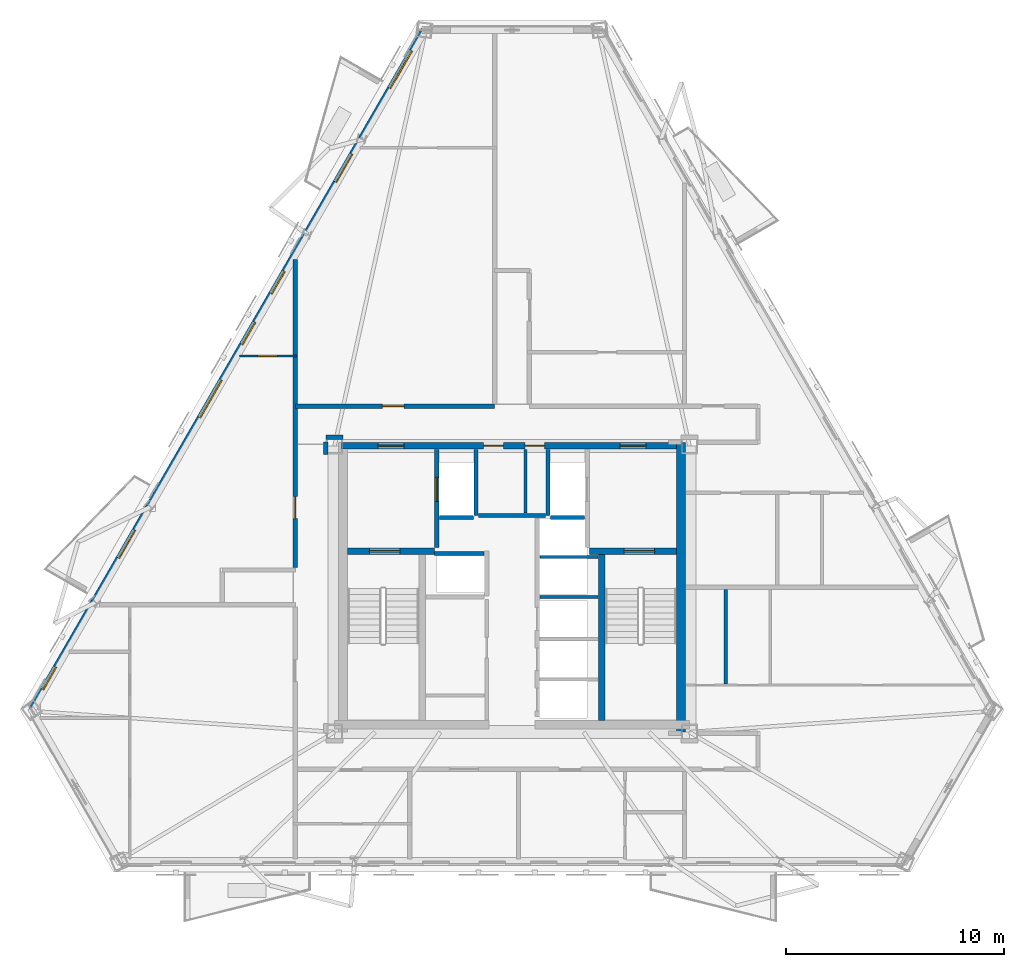
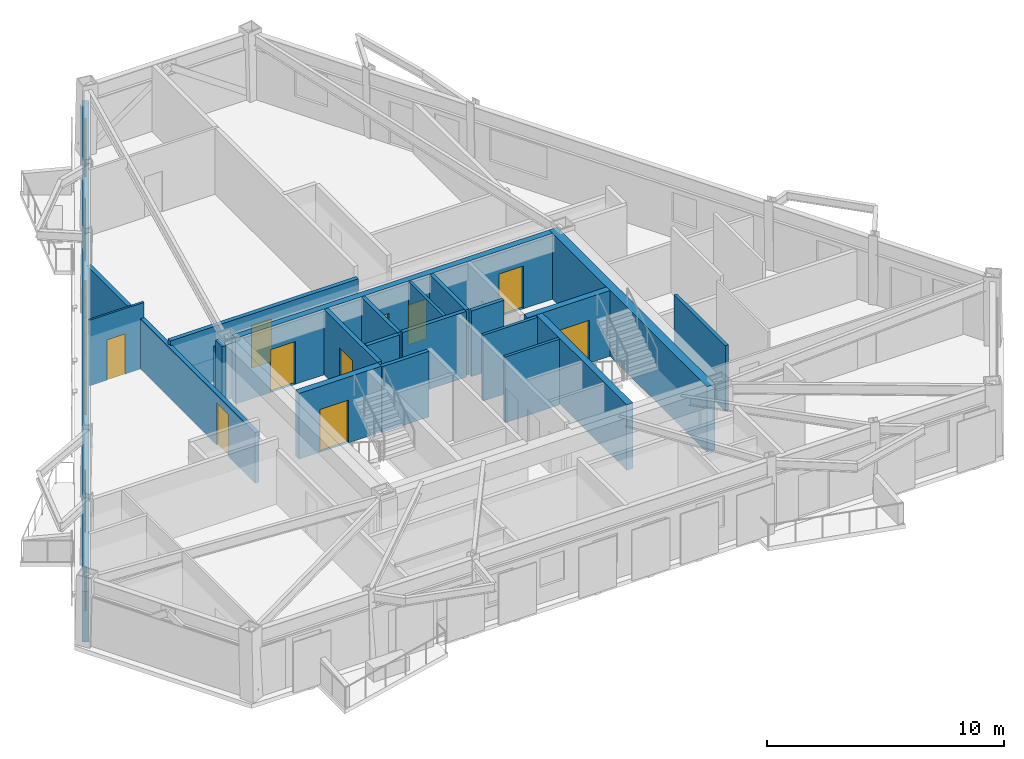
# One storey, part 5 of 10: 22 walls, 12 doors, 5 windows, 17 openings.
"""IFC4 building model written with IfcOpenShell, lengths in metres."""

from ifc_helpers import new_model, si_unit, direction, frame, frame_2d, origin, place, context, subcontext, project, spatial, rectangle, extrude, material, layer, layer_set, type_object, element, fill, save


model = new_model("IFC4")

# Units and contexts
model_context = context("Model", 3, precision=1e-05, world=origin(), true_north=direction((0.0, 1.0)))
body_context = subcontext(model_context, "Body", "Model", "MODEL_VIEW")
ifc_project = project(units=[si_unit("LENGTHUNIT", "METRE"), si_unit("AREAUNIT", "SQUARE_METRE"), si_unit("VOLUMEUNIT", "CUBIC_METRE"), si_unit("PLANEANGLEUNIT", "RADIAN"), si_unit("MASSUNIT", "GRAM", prefix="KILO")], contexts=[model_context])

# Site, building, storey
site_placement = place(None, origin())
site = spatial("IfcSite", under=ifc_project, at=site_placement, CompositionType="ELEMENT")
building_placement = place(site_placement, origin())
building = spatial("IfcBuilding", under=site, at=building_placement, Name="Oramaril Tower", CompositionType="ELEMENT")
storey_placement = place(building_placement, frame((0.0, 0.0, 181.800048828125)))
storey = spatial("IfcBuildingStorey", under=building, at=storey_placement, Name="L48", CompositionType="ELEMENT", Elevation=181.800048828125)

# Wall, openings, doors, windows
ifc_material_1 = material(Name="Warm Cream Limestone", Category="masonry")
ifc_layer_1 = layer(ifc_material_1, 0.2900390625)
ifc_layer_set_1 = layer_set([ifc_layer_1], Name="WT-EXT29")
wall_type_1 = type_object("IfcWallType", Name="WT-EXT29", PredefinedType="SOLIDWALL", material=ifc_layer_set_1)
wall_1_placement = place(storey_placement, frame((33.46142578125, 43.247314453125, 0.0), z_axis=(0.0, 0.0, 1.0), x_axis=(-0.499997559055, -0.86602681306, 0.0)))
wall_1 = element("IfcWall", 1, at=wall_1_placement, inside=storey, type_object=wall_type_1, Name="L48 Tower Limestone Facade Wall 6M", PredefinedType="SOLIDWALL", context=body_context, shape_type="SweptSolid", body=[
    extrude(rectangle(XDim=36.053955078125, YDim=0.2900390625, at=frame_2d((18.02685546875, 0.0))), origin(), (0.0, 0.0, 1.0), 2.599853515625),
])
opening_1_placement = place(wall_1_placement, frame((6.579345703125, 0.0, 0.0)))
opening_1 = element("IfcOpeningElement", 2, at=opening_1_placement, cuts=wall_1, Name="Opening D-L48-BAL-NW1", PredefinedType="OPENING", context=body_context, shape_type="SweptSolid", body=[
    extrude(rectangle(XDim=1.5, YDim=2.199951171875, at=frame_2d((0.75, 1.10009765625))), frame((0.0, 0.14501953125, 0.0), z_axis=(0.0, -1.0, 0.0), x_axis=(1.0, 0.0, 0.0)), (0.0, 0.0, 1.0), 0.2900390625),
])
opening_2_placement = place(wall_1_placement, frame((26.519287109375, 0.0, 0.0)))
opening_2 = element("IfcOpeningElement", 3, at=opening_2_placement, cuts=wall_1, Name="Opening D-L48-BAL-NW2", PredefinedType="OPENING", context=body_context, shape_type="SweptSolid", body=[
    extrude(rectangle(XDim=1.5, YDim=2.199951171875, at=frame_2d((0.75, 1.10009765625))), frame((0.0, 0.14501953125, 0.0), z_axis=(0.0, -1.0, 0.0), x_axis=(1.0, 0.0, 0.0)), (0.0, 0.0, 1.0), 0.2900390625),
])
opening_3_placement = place(wall_1_placement, frame((33.7880859375, 0.0, 0.85009765625)))
opening_3 = element("IfcOpeningElement", 4, at=opening_3_placement, cuts=wall_1, Name="Opening WN-09", PredefinedType="OPENING", context=body_context, shape_type="SweptSolid", body=[
    extrude(rectangle(XDim=1.199951171875, YDim=1.47998046875, at=frame_2d((0.60009765625, 0.739990234375))), frame((0.0, 0.14501953125, 0.0), z_axis=(0.0, -1.0, 0.0), x_axis=(1.0, 0.0, 0.0)), (0.0, 0.0, 1.0), 0.2900390625),
])
opening_4_placement = place(wall_1_placement, frame((18.570068359375, 0.0, 0.85009765625)))
opening_4 = element("IfcOpeningElement", 5, at=opening_4_placement, cuts=wall_1, Name="Opening WN-05", PredefinedType="OPENING", context=body_context, shape_type="SweptSolid", body=[
    extrude(rectangle(XDim=2.0, YDim=1.639892578125, at=frame_2d((1.0, 0.81982421875))), frame((0.0, 0.14501953125, 0.0), z_axis=(0.0, -1.0, 0.0), x_axis=(1.0, 0.0, 0.0)), (0.0, 0.0, 1.0), 0.2900390625),
])
opening_5_placement = place(wall_1_placement, frame((12.794189453125, 0.0, 0.85009765625)))
opening_5 = element("IfcOpeningElement", 6, at=opening_5_placement, cuts=wall_1, Name="Opening WN-09", PredefinedType="OPENING", context=body_context, shape_type="SweptSolid", body=[
    extrude(rectangle(XDim=1.199951171875, YDim=1.47998046875, at=frame_2d((0.60009765625, 0.739990234375))), frame((0.0, 0.14501953125, 0.0), z_axis=(0.0, -1.0, 0.0), x_axis=(1.0, 0.0, 0.0)), (0.0, 0.0, 1.0), 0.2900390625),
])
opening_6_placement = place(wall_1_placement, frame((15.49609375, 0.0, 0.85009765625)))
opening_6 = element("IfcOpeningElement", 7, at=opening_6_placement, cuts=wall_1, Name="Opening WN-09", PredefinedType="OPENING", context=body_context, shape_type="SweptSolid", body=[
    extrude(rectangle(XDim=1.199951171875, YDim=1.47998046875, at=frame_2d((0.60009765625, 0.739990234375))), frame((0.0, 0.14501953125, 0.0), z_axis=(0.0, -1.0, 0.0), x_axis=(1.0, 0.0, 0.0)), (0.0, 0.0, 1.0), 0.2900390625),
])
opening_7_placement = place(wall_1_placement, frame((1.107666015625, 0.0, 0.85009765625)))
opening_7 = element("IfcOpeningElement", 8, at=opening_7_placement, cuts=wall_1, Name="Opening WN-05", PredefinedType="OPENING", context=body_context, shape_type="SweptSolid", body=[
    extrude(rectangle(XDim=2.0, YDim=1.639892578125, at=frame_2d((1.0, 0.81982421875))), frame((0.0, 0.14501953125, 0.0), z_axis=(0.0, -1.0, 0.0), x_axis=(1.0, 0.0, 0.0)), (0.0, 0.0, 1.0), 0.2900390625),
])
ifc_material_2 = material(Name="Anodised Aluminium 6063-T6", Category="aluminium")
door_type_1 = type_object("IfcDoorType", Name="DT-BAL", OperationType="NOTDEFINED", PredefinedType="DOOR", material=ifc_material_2)
door_1_placement = place(opening_1_placement, origin())
door_1 = element("IfcDoor", 9, at=door_1_placement, inside=storey, type_object=door_type_1, Name="L48 Balcony Glazed Door L48-BAL-NW1", OperationType="SINGLE_SWING_LEFT", OverallHeight=2.199951171875, OverallWidth=1.5, PredefinedType="DOOR", context=body_context, shape_type="SweptSolid", body=[
    extrude(rectangle(XDim=1.5, YDim=2.199951171875, at=frame_2d((0.75, 1.10009765625))), frame((0.0, 0.02490234375, 0.0), z_axis=(0.0, -1.0, 0.0), x_axis=(1.0, 0.0, 0.0)), (0.0, 0.0, 1.0), 0.050048828125),
])
fill(opening_1, door_1)
door_2_placement = place(opening_2_placement, origin())
door_2 = element("IfcDoor", 10, at=door_2_placement, inside=storey, type_object=door_type_1, Name="L48 Balcony Glazed Door L48-BAL-NW2", OperationType="SINGLE_SWING_RIGHT", OverallHeight=2.199951171875, OverallWidth=1.5, PredefinedType="DOOR", context=body_context, shape_type="SweptSolid", body=[
    extrude(rectangle(XDim=1.5, YDim=2.199951171875, at=frame_2d((0.75, 1.10009765625))), frame((0.0, 0.02490234375, 0.0), z_axis=(0.0, -1.0, 0.0), x_axis=(1.0, 0.0, 0.0)), (0.0, 0.0, 1.0), 0.050048828125),
])
fill(opening_2, door_2)
ifc_material_3 = material(Name="Coastal Low-E Insulated Glass", Category="glass")
window_type_1 = type_object("IfcWindowType", Name="WNT-05", PartitioningType="SINGLE_PANEL", PredefinedType="WINDOW", material=ifc_material_3)
window_1_placement = place(opening_4_placement, origin())
window_1 = element("IfcWindow", 11, at=window_1_placement, inside=storey, type_object=window_type_1, Name="L48 Chicago Bay Window WN-05", OverallHeight=1.639892578125, OverallWidth=2.0, PartitioningType="SINGLE_PANEL", PredefinedType="WINDOW", context=body_context, shape_type="SweptSolid", body=[
    extrude(rectangle(XDim=2.0, YDim=1.639892578125, at=frame_2d((1.0, 0.81982421875))), frame((0.0, 0.030029296875, 0.0), z_axis=(0.0, -1.0, 0.0), x_axis=(1.0, 0.0, 0.0)), (0.0, 0.0, 1.0), 0.06005859375),
])
fill(opening_4, window_1)
window_2_placement = place(opening_7_placement, origin())
window_2 = element("IfcWindow", 12, at=window_2_placement, inside=storey, type_object=window_type_1, Name="L48 Chicago Bay Window WN-05", OverallHeight=1.639892578125, OverallWidth=2.0, PartitioningType="SINGLE_PANEL", PredefinedType="WINDOW", context=body_context, shape_type="SweptSolid", body=[
    extrude(rectangle(XDim=2.0, YDim=1.639892578125, at=frame_2d((1.0, 0.81982421875))), frame((0.0, 0.030029296875, 0.0), z_axis=(0.0, -1.0, 0.0), x_axis=(1.0, 0.0, 0.0)), (0.0, 0.0, 1.0), 0.06005859375),
])
fill(opening_7, window_2)
ifc_material_4 = material(Name="Coastal Low-E Insulated Glass", Category="glass")
window_type_2 = type_object("IfcWindowType", Name="WNT-09", PartitioningType="SINGLE_PANEL", PredefinedType="WINDOW", material=ifc_material_4)
window_3_placement = place(opening_3_placement, origin())
window_3 = element("IfcWindow", 13, at=window_3_placement, inside=storey, type_object=window_type_2, Name="L48 Chicago Bay Window WN-09", OverallHeight=1.47998046875, OverallWidth=1.199951171875, PartitioningType="SINGLE_PANEL", PredefinedType="WINDOW", context=body_context, shape_type="SweptSolid", body=[
    extrude(rectangle(XDim=1.199951171875, YDim=1.47998046875, at=frame_2d((0.60009765625, 0.739990234375))), frame((0.0, 0.030029296875, 0.0), z_axis=(0.0, -1.0, 0.0), x_axis=(1.0, 0.0, 0.0)), (0.0, 0.0, 1.0), 0.06005859375),
])
fill(opening_3, window_3)
window_4_placement = place(opening_5_placement, origin())
window_4 = element("IfcWindow", 14, at=window_4_placement, inside=storey, type_object=window_type_2, Name="L48 Chicago Bay Window WN-09", OverallHeight=1.47998046875, OverallWidth=1.199951171875, PartitioningType="SINGLE_PANEL", PredefinedType="WINDOW", context=body_context, shape_type="SweptSolid", body=[
    extrude(rectangle(XDim=1.199951171875, YDim=1.47998046875, at=frame_2d((0.60009765625, 0.739990234375))), frame((0.0, 0.030029296875, 0.0), z_axis=(0.0, -1.0, 0.0), x_axis=(1.0, 0.0, 0.0)), (0.0, 0.0, 1.0), 0.06005859375),
])
fill(opening_5, window_4)
window_5_placement = place(opening_6_placement, origin())
window_5 = element("IfcWindow", 15, at=window_5_placement, inside=storey, type_object=window_type_2, Name="L48 Chicago Bay Window WN-09", OverallHeight=1.47998046875, OverallWidth=1.199951171875, PartitioningType="SINGLE_PANEL", PredefinedType="WINDOW", context=body_context, shape_type="SweptSolid", body=[
    extrude(rectangle(XDim=1.199951171875, YDim=1.47998046875, at=frame_2d((0.60009765625, 0.739990234375))), frame((0.0, 0.030029296875, 0.0), z_axis=(0.0, -1.0, 0.0), x_axis=(1.0, 0.0, 0.0)), (0.0, 0.0, 1.0), 0.06005859375),
])
fill(opening_6, window_5)

# Wall, opening, door
ifc_material_5 = material(Name="Acoustic Gypsum Board Partition")
ifc_layer_2 = layer(ifc_material_5, 0.10009765625)
ifc_layer_set_2 = layer_set([ifc_layer_2], Name="WT-PT10")
wall_type_2 = type_object("IfcWallType", Name="WT-PT10", PredefinedType="PARTITIONING", material=ifc_layer_set_2)
wall_2_placement = place(storey_placement, frame((24.986328125, 28.27001953125, 0.0), z_axis=(0.0, 0.0, 1.0), x_axis=(1.0, 0.0, 0.0)))
wall_2 = element("IfcWall", 16, at=wall_2_placement, inside=storey, type_object=wall_type_2, Name="L48 Interior Partition PT-10", PredefinedType="PARTITIONING", context=body_context, shape_type="SweptSolid", body=[
    extrude(rectangle(XDim=2.645751953125, YDim=0.10009765625, at=frame_2d((1.32275390625, 0.0))), origin(), (0.0, 0.0, 1.0), 3.3798828125),
])
opening_8_placement = place(wall_2_placement, frame((0.841064453125, 0.0, 0.0)))
opening_8 = element("IfcOpeningElement", 17, at=opening_8_placement, cuts=wall_2, Name="Opening D-L48-14", PredefinedType="OPENING", context=body_context, shape_type="SweptSolid", body=[
    extrude(rectangle(XDim=0.8798828125, YDim=2.080078125, at=frame_2d((0.43994140625, 1.0400390625))), frame((0.0, 0.050048828125, 0.0), z_axis=(0.0, -1.0, 0.0), x_axis=(1.0, 0.0, 0.0)), (0.0, 0.0, 1.0), 0.10009765625),
])
ifc_material_6 = material(Name="FSC Brazilian Freijo Hardwood", Category="wood")
door_type_2 = type_object("IfcDoorType", Name="DT-BATH", OperationType="NOTDEFINED", PredefinedType="DOOR", material=ifc_material_6)
door_3_placement = place(opening_8_placement, origin())
door_3 = element("IfcDoor", 18, at=door_3_placement, inside=storey, type_object=door_type_2, Name="L48 Flat L48-U4 Bathroom Door D-L48-14", OperationType="SINGLE_SWING_LEFT", OverallHeight=2.080078125, OverallWidth=0.8798828125, PredefinedType="DOOR", context=body_context, shape_type="SweptSolid", body=[
    extrude(rectangle(XDim=0.8798828125, YDim=2.080078125, at=frame_2d((0.43994140625, 1.0400390625))), frame((0.0, 0.02490234375, 0.0), z_axis=(0.0, -1.0, 0.0), x_axis=(1.0, 0.0, 0.0)), (0.0, 0.0, 1.0), 0.050048828125),
])
fill(opening_8, door_3)

# Walls
ifc_material_7 = material(Name="Acoustic Gypsum Board Partition")
ifc_layer_3 = layer(ifc_material_7, 0.139892578125)
ifc_layer_set_3 = layer_set([ifc_layer_3], Name="WT-PT14")
wall_type_3 = type_object("IfcWallType", Name="WT-PT14", PredefinedType="PARTITIONING", material=ifc_layer_set_3)
for number, where, z_axis, x_axis, name in (
    (19, (38.780029296875, 17.199951171875, 0.0), (0.0, 0.0, 1.0), (1.0, 0.0, 0.0), "L48 East Lift Divider"),
    (20, (38.780029296875, 19.050048828125, 0.0), (0.0, 0.0, 1.0), (1.0, 0.0, 0.0), "L48 East Lift Divider"),
):
    element("IfcWall", number, at=place(storey_placement, frame(where, z_axis=z_axis, x_axis=x_axis)), inside=storey, type_object=wall_type_3, Name=name, PredefinedType="PARTITIONING", context=body_context, shape_type="SweptSolid", body=[
        extrude(rectangle(XDim=2.659912109375, YDim=0.139892578125, at=frame_2d((1.330078125, 0.0))), origin(), (0.0, 0.0, 1.0), 3.3798828125),
    ])
wall_3_placement = place(storey_placement, frame((38.110107421875, 21.06005859375, 0.0), z_axis=(0.0, 0.0, 1.0), x_axis=(0.0, 1.0, 0.0)))
element("IfcWall", 21, at=wall_3_placement, inside=storey, type_object=wall_type_3, Name="L48 Core Service Divider", PredefinedType="PARTITIONING", context=body_context, shape_type="SweptSolid", body=[
    extrude(rectangle(XDim=2.919921875, YDim=0.139892578125, at=frame_2d((1.4599609375, 0.0))), origin(), (0.0, 0.0, 1.0), 3.3798828125),
])
ifc_material_8 = material(Name="Acoustic Gypsum Board Partition")
ifc_layer_4 = layer(ifc_material_8, 0.159912109375)
ifc_layer_set_4 = layer_set([ifc_layer_4], Name="WT-PT16")
wall_type_4 = type_object("IfcWallType", Name="WT-PT16", PredefinedType="PARTITIONING", material=ifc_layer_set_4)
wall_4_placement = place(storey_placement, frame((47.31005859375, 13.214111328125, 0.0), z_axis=(0.0, 0.0, 1.0), x_axis=(0.0, 1.0, 0.0)))
element("IfcWall", 22, at=wall_4_placement, inside=storey, type_object=wall_type_4, Name="L48 Interior Partition PT-16", PredefinedType="PARTITIONING", context=body_context, shape_type="SweptSolid", body=[
    extrude(rectangle(XDim=4.331787109375, YDim=0.159912109375, at=frame_2d((2.166015625, 0.0))), origin(), (0.0, 0.0, 1.0), 3.3798828125),
])
ifc_material_9 = material(Name="Autoclaved Cellular Concrete Block", Category="concrete")
ifc_layer_5 = layer(ifc_material_9, 0.179931640625)
ifc_layer_set_5 = layer_set([ifc_layer_5], Name="WT-PT18")
wall_type_5 = type_object("IfcWallType", Name="WT-PT18", PredefinedType="PARTITIONING", material=ifc_layer_set_5)
wall_5_placement = place(storey_placement, frame((35.840087890625, 20.9599609375, 0.0), z_axis=(0.0, 0.0, 1.0), x_axis=(0.0, 1.0, 0.0)))
element("IfcWall", 23, at=wall_5_placement, inside=storey, type_object=wall_type_5, Name="L48 FL-1 East Shaft Wall", PredefinedType="PARTITIONING", context=body_context, shape_type="SweptSolid", body=[
    extrude(rectangle(XDim=3.02001953125, YDim=0.179931640625, at=frame_2d((1.510009765625, 0.0))), origin(), (0.0, 0.0, 1.0), 3.3798828125),
])
wall_6_placement = place(storey_placement, frame((34.159912109375, 20.860107421875, 0.0), z_axis=(0.0, 0.0, 1.0), x_axis=(1.0, 0.0, 0.0)))
element("IfcWall", 24, at=wall_6_placement, inside=storey, type_object=wall_type_5, Name="L48 FL-1 South Shaft Wall", PredefinedType="PARTITIONING", context=body_context, shape_type="SweptSolid", body=[
    extrude(rectangle(XDim=1.580078125, YDim=0.179931640625, at=frame_2d((0.7900390625, 0.0))), origin(), (0.0, 0.0, 1.0), 3.3798828125),
])
wall_7_placement = place(storey_placement, frame((39.159912109375, 20.9599609375, 0.0), z_axis=(0.0, 0.0, 1.0), x_axis=(0.0, 1.0, 0.0)))
element("IfcWall", 25, at=wall_7_placement, inside=storey, type_object=wall_type_5, Name="L48 FL-2 West Shaft Wall", PredefinedType="PARTITIONING", context=body_context, shape_type="SweptSolid", body=[
    extrude(rectangle(XDim=3.02001953125, YDim=0.179931640625, at=frame_2d((1.510009765625, 0.0))), origin(), (0.0, 0.0, 1.0), 3.3798828125),
])
wall_8_placement = place(storey_placement, frame((39.260009765625, 20.860107421875, 0.0), z_axis=(0.0, 0.0, 1.0), x_axis=(1.0, 0.0, 0.0)))
element("IfcWall", 26, at=wall_8_placement, inside=storey, type_object=wall_type_5, Name="L48 FL-2 South Shaft Wall", PredefinedType="PARTITIONING", context=body_context, shape_type="SweptSolid", body=[
    extrude(rectangle(XDim=1.580078125, YDim=0.179931640625, at=frame_2d((0.7900390625, 0.0))), origin(), (0.0, 0.0, 1.0), 3.3798828125),
])
wall_9_placement = place(storey_placement, frame((33.949951171875, 19.199951171875, 0.0), z_axis=(0.0, 0.0, 1.0), x_axis=(1.0, 0.0, 0.0)))
element("IfcWall", 27, at=wall_9_placement, inside=storey, type_object=wall_type_5, Name="L48 High-Rise Lift H1 North Shaft Wall", PredefinedType="PARTITIONING", context=body_context, shape_type="SweptSolid", body=[
    extrude(rectangle(XDim=2.27001953125, YDim=0.179931640625, at=frame_2d((1.135009765625, 0.0))), origin(), (0.0, 0.0, 1.0), 3.3798828125),
])
wall_10_placement = place(storey_placement, frame((35.949951171875, 20.949951171875, 0.0), z_axis=(0.0, 0.0, 1.0), x_axis=(1.0, 0.0, 0.0)))
element("IfcWall", 28, at=wall_10_placement, inside=storey, type_object=wall_type_5, Name="L48 Lift Lobby North Partition", PredefinedType="PARTITIONING", context=body_context, shape_type="SweptSolid", body=[
    extrude(rectangle(XDim=3.10009765625, YDim=0.179931640625, at=frame_2d((1.550048828125, 0.0))), origin(), (0.0, 0.0, 1.0), 3.3798828125),
])
ifc_material_10 = material(Name="Autoclaved Cellular Concrete Block", Category="concrete")
ifc_layer_6 = layer(ifc_material_10, 0.199951171875)
ifc_layer_set_6 = layer_set([ifc_layer_6], Name="WT-PT20")
wall_type_6 = type_object("IfcWallType", Name="WT-PT20", PredefinedType="PARTITIONING", material=ifc_layer_set_6)
wall_11_placement = place(storey_placement, frame((28.955078125, 24.550048828125, 0.0), z_axis=(0.0, 0.0, 1.0), x_axis=(1.0, 0.0, 0.0)))
element("IfcWall", 29, at=wall_11_placement, inside=storey, type_object=wall_type_6, Name="L48 Interior Partition PT-20", PredefinedType="PARTITIONING", context=body_context, shape_type="SweptSolid", body=[
    extrude(rectangle(XDim=0.7900390625, YDim=0.199951171875, at=frame_2d((0.39501953125, 0.0))), origin(), (0.0, 0.0, 1.0), 2.842041015625),
])

# Wall, opening, door
wall_12_placement = place(storey_placement, frame((27.550048828125, 25.969970703125, 0.0), z_axis=(0.0, 0.0, 1.0), x_axis=(1.0, 0.0, 0.0)))
wall_12 = element("IfcWall", 30, at=wall_12_placement, inside=storey, type_object=wall_type_6, Name="L48 Interior Partition PT-20", PredefinedType="PARTITIONING", context=body_context, shape_type="SweptSolid", body=[
    extrude(rectangle(XDim=9.14990234375, YDim=0.199951171875, at=frame_2d((4.574951171875, 0.0))), origin(), (0.0, 0.0, 1.0), 2.842041015625),
])
opening_9_placement = place(wall_12_placement, frame((4.000732421875, 0.0, 0.0)))
opening_9 = element("IfcOpeningElement", 31, at=opening_9_placement, cuts=wall_12, Name="Opening D-L48-12", PredefinedType="OPENING", context=body_context, shape_type="SweptSolid", body=[
    extrude(rectangle(XDim=1.0, YDim=2.179931640625, at=frame_2d((0.5, 1.08984375))), frame((0.0, 0.10009765625, 0.0), z_axis=(0.0, -1.0, 0.0), x_axis=(1.0, 0.0, 0.0)), (0.0, 0.0, 1.0), 0.199951171875),
])
ifc_material_11 = material(Name="FSC Brazilian Freijo Hardwood", Category="wood")
door_type_3 = type_object("IfcDoorType", Name="DT-APT", OperationType="NOTDEFINED", PredefinedType="DOOR", material=ifc_material_11)
door_4_placement = place(opening_9_placement, origin())
door_4 = element("IfcDoor", 32, at=door_4_placement, inside=storey, type_object=door_type_3, Name="L48 Flat L48-U7 Kitchen and Studio Apartment Door D-L48-12", OperationType="SINGLE_SWING_LEFT", OverallHeight=2.179931640625, OverallWidth=1.0, PredefinedType="DOOR", context=body_context, shape_type="SweptSolid", body=[
    extrude(rectangle(XDim=1.0, YDim=2.179931640625, at=frame_2d((0.5, 1.08984375))), frame((0.0, 0.02490234375, 0.0), z_axis=(0.0, -1.0, 0.0), x_axis=(1.0, 0.0, 0.0)), (0.0, 0.0, 1.0), 0.050048828125),
])
fill(opening_9, door_4)

wall_13_placement = place(storey_placement, frame((27.550048828125, 18.553955078125, 0.0), z_axis=(0.0, 0.0, 1.0), x_axis=(0.0, 1.0, 0.0)))
wall_13 = element("IfcWall", 33, at=wall_13_placement, inside=storey, type_object=wall_type_6, Name="L48 Interior Partition PT-20", PredefinedType="PARTITIONING", context=body_context, shape_type="SweptSolid", body=[
    extrude(rectangle(XDim=14.15625, YDim=0.199951171875, at=frame_2d((7.078125, 0.0))), origin(), (0.0, 0.0, 1.0), 2.599853515625),
])
opening_10_placement = place(wall_13_placement, frame((2.257080078125, 0.0, 0.0)))
opening_10 = element("IfcOpeningElement", 34, at=opening_10_placement, cuts=wall_13, Name="Opening D-L48-21", PredefinedType="OPENING", context=body_context, shape_type="SweptSolid", body=[
    extrude(rectangle(XDim=1.0, YDim=2.179931640625, at=frame_2d((0.5, 1.08984375))), frame((0.0, 0.10009765625, 0.0), z_axis=(0.0, -1.0, 0.0), x_axis=(1.0, 0.0, 0.0)), (0.0, 0.0, 1.0), 0.199951171875),
])
door_5_placement = place(opening_10_placement, origin())
door_5 = element("IfcDoor", 35, at=door_5_placement, inside=storey, type_object=door_type_3, Name="L48 Flat L48-U4 Kitchen and Studio Apartment Door D-L48-21", OperationType="SINGLE_SWING_RIGHT", OverallHeight=2.179931640625, OverallWidth=1.0, PredefinedType="DOOR", context=body_context, shape_type="SweptSolid", body=[
    extrude(rectangle(XDim=1.0, YDim=2.179931640625, at=frame_2d((0.5, 1.08984375))), frame((0.0, 0.02490234375, 0.0), z_axis=(0.0, -1.0, 0.0), x_axis=(1.0, 0.0, 0.0)), (0.0, 0.0, 1.0), 0.050048828125),
])
fill(opening_10, door_5)

# Wall
wall_14_placement = place(storey_placement, frame((28.949951171875, 23.7548828125, 0.0), z_axis=(0.0, 0.0, 1.0), x_axis=(0.0, 1.0, 0.0)))
element("IfcWall", 36, at=wall_14_placement, inside=storey, type_object=wall_type_6, Name="L48 Interior Partition PT-20", PredefinedType="PARTITIONING", context=body_context, shape_type="SweptSolid", body=[
    extrude(rectangle(XDim=0.565185546875, YDim=0.199951171875, at=frame_2d((0.28271484375, 0.0))), origin(), (0.0, 0.0, 1.0), 3.3798828125),
])

# Wall, openings, doors
ifc_material_12 = material(Name="Concrete C50/60", Category="concrete")
ifc_layer_7 = layer(ifc_material_12, 0.300048828125)
ifc_layer_set_7 = layer_set([ifc_layer_7], Name="WT-SH30")
wall_type_7 = type_object("IfcWallType", Name="WT-SH30", PredefinedType="SHEAR", material=ifc_layer_set_7)
wall_15_placement = place(storey_placement, frame((29.64990234375, 24.14990234375, 0.0), z_axis=(0.0, 0.0, 1.0), x_axis=(1.0, 0.0, 0.0)))
wall_15 = element("IfcWall", 37, at=wall_15_placement, inside=storey, type_object=wall_type_7, Name="L48 Core Shear Wall CW-N", PredefinedType="SHEAR", context=body_context, shape_type="SweptSolid", body=[
    extrude(rectangle(XDim=15.7001953125, YDim=0.300048828125, at=frame_2d((7.85009765625, 0.0))), origin(), (0.0, 0.0, 1.0), 3.3798828125),
])
opening_11_placement = place(wall_15_placement, frame((1.699951171875, 0.0, 0.0)))
opening_11 = element("IfcOpeningElement", 38, at=opening_11_placement, cuts=wall_15, Name="Opening D-L48-FFL1", PredefinedType="OPENING", context=body_context, shape_type="SweptSolid", body=[
    extrude(rectangle(XDim=1.199951171875, YDim=2.199951171875, at=frame_2d((0.60009765625, 1.10009765625))), frame((0.0, 0.14990234375, 0.0), z_axis=(0.0, -1.0, 0.0), x_axis=(1.0, 0.0, 0.0)), (0.0, 0.0, 1.0), 0.300048828125),
])
opening_12_placement = place(wall_15_placement, frame((12.800048828125, 0.0, 0.0)))
opening_12 = element("IfcOpeningElement", 39, at=opening_12_placement, cuts=wall_15, Name="Opening D-L48-FFL2", PredefinedType="OPENING", context=body_context, shape_type="SweptSolid", body=[
    extrude(rectangle(XDim=1.199951171875, YDim=2.199951171875, at=frame_2d((0.60009765625, 1.10009765625))), frame((0.0, 0.14990234375, 0.0), z_axis=(0.0, -1.0, 0.0), x_axis=(1.0, 0.0, 0.0)), (0.0, 0.0, 1.0), 0.300048828125),
])
opening_13_placement = place(wall_15_placement, frame((6.550048828125, 0.0, 0.0)))
opening_13 = element("IfcOpeningElement", 40, at=opening_13_placement, cuts=wall_15, Name="Opening D-L48-SV1", PredefinedType="OPENING", context=body_context, shape_type="SweptSolid", body=[
    extrude(rectangle(XDim=0.89990234375, YDim=2.050048828125, at=frame_2d((0.449951171875, 1.02490234375))), frame((0.0, 0.14990234375, 0.0), z_axis=(0.0, -1.0, 0.0), x_axis=(1.0, 0.0, 0.0)), (0.0, 0.0, 1.0), 0.300048828125),
])
opening_14_placement = place(wall_15_placement, frame((8.449951171875, 0.0, 0.0)))
opening_14 = element("IfcOpeningElement", 41, at=opening_14_placement, cuts=wall_15, Name="Opening D-L48-SV2", PredefinedType="OPENING", context=body_context, shape_type="SweptSolid", body=[
    extrude(rectangle(XDim=0.89990234375, YDim=2.050048828125, at=frame_2d((0.449951171875, 1.02490234375))), frame((0.0, 0.14990234375, 0.0), z_axis=(0.0, -1.0, 0.0), x_axis=(1.0, 0.0, 0.0)), (0.0, 0.0, 1.0), 0.300048828125),
])
ifc_material_13 = material(Name="Painted Galvanised Steel", Category="steel")
door_type_4 = type_object("IfcDoorType", Name="DT-FFL", OperationType="NOTDEFINED", PredefinedType="DOOR", material=ifc_material_13)
door_6_placement = place(opening_11_placement, origin())
door_6 = element("IfcDoor", 42, at=door_6_placement, inside=storey, type_object=door_type_4, Name="L48 Firefighting Lobby 1 Fire Door", OperationType="SINGLE_SWING_LEFT", OverallHeight=2.199951171875, OverallWidth=1.199951171875, PredefinedType="DOOR", context=body_context, shape_type="SweptSolid", body=[
    extrude(rectangle(XDim=1.199951171875, YDim=2.199951171875, at=frame_2d((0.60009765625, 1.10009765625))), frame((0.0, 0.02490234375, 0.0), z_axis=(0.0, -1.0, 0.0), x_axis=(1.0, 0.0, 0.0)), (0.0, 0.0, 1.0), 0.050048828125),
])
fill(opening_11, door_6)
door_7_placement = place(opening_12_placement, origin())
door_7 = element("IfcDoor", 43, at=door_7_placement, inside=storey, type_object=door_type_4, Name="L48 Firefighting Lobby 2 Fire Door", OperationType="SINGLE_SWING_RIGHT", OverallHeight=2.199951171875, OverallWidth=1.199951171875, PredefinedType="DOOR", context=body_context, shape_type="SweptSolid", body=[
    extrude(rectangle(XDim=1.199951171875, YDim=2.199951171875, at=frame_2d((0.60009765625, 1.10009765625))), frame((0.0, 0.02490234375, 0.0), z_axis=(0.0, -1.0, 0.0), x_axis=(1.0, 0.0, 0.0)), (0.0, 0.0, 1.0), 0.050048828125),
])
fill(opening_12, door_7)
ifc_material_14 = material(Name="Painted Galvanised Steel", Category="steel")
door_type_5 = type_object("IfcDoorType", Name="DT-SVC", OperationType="NOTDEFINED", PredefinedType="DOOR", material=ifc_material_14)
door_8_placement = place(opening_13_placement, origin())
door_8 = element("IfcDoor", 44, at=door_8_placement, inside=storey, type_object=door_type_5, Name="L48 Core Service Store 1 Door", OperationType="SINGLE_SWING_LEFT", OverallHeight=2.050048828125, OverallWidth=0.89990234375, PredefinedType="DOOR", context=body_context, shape_type="SweptSolid", body=[
    extrude(rectangle(XDim=0.89990234375, YDim=2.050048828125, at=frame_2d((0.449951171875, 1.02490234375))), frame((0.0, 0.02490234375, 0.0), z_axis=(0.0, -1.0, 0.0), x_axis=(1.0, 0.0, 0.0)), (0.0, 0.0, 1.0), 0.050048828125),
])
fill(opening_13, door_8)
door_9_placement = place(opening_14_placement, origin())
door_9 = element("IfcDoor", 45, at=door_9_placement, inside=storey, type_object=door_type_5, Name="L48 Core Service Store 2 Door", OperationType="SINGLE_SWING_RIGHT", OverallHeight=2.050048828125, OverallWidth=0.89990234375, PredefinedType="DOOR", context=body_context, shape_type="SweptSolid", body=[
    extrude(rectangle(XDim=0.89990234375, YDim=2.050048828125, at=frame_2d((0.449951171875, 1.02490234375))), frame((0.0, 0.02490234375, 0.0), z_axis=(0.0, -1.0, 0.0), x_axis=(1.0, 0.0, 0.0)), (0.0, 0.0, 1.0), 0.050048828125),
])
fill(opening_14, door_9)

# Wall, opening, door
wall_16_placement = place(storey_placement, frame((29.93994140625, 19.31005859375, 0.0), z_axis=(0.0, 0.0, 1.0), x_axis=(1.0, 0.0, 0.0)))
wall_16 = element("IfcWall", 46, at=wall_16_placement, inside=storey, type_object=wall_type_7, Name="L48 Core Shear Wall CW-ST1N", PredefinedType="SHEAR", context=body_context, shape_type="SweptSolid", body=[
    extrude(rectangle(XDim=4.010009765625, YDim=0.300048828125, at=frame_2d((2.0048828125, 0.0))), origin(), (0.0, 0.0, 1.0), 3.3798828125),
])
opening_15_placement = place(wall_16_placement, frame((1.010009765625, 0.0, 0.0)))
opening_15 = element("IfcOpeningElement", 47, at=opening_15_placement, cuts=wall_16, Name="Opening D-L48-ST1", PredefinedType="OPENING", context=body_context, shape_type="SweptSolid", body=[
    extrude(rectangle(XDim=1.39990234375, YDim=2.199951171875, at=frame_2d((0.699951171875, 1.10009765625))), frame((0.0, 0.14990234375, 0.0), z_axis=(0.0, -1.0, 0.0), x_axis=(1.0, 0.0, 0.0)), (0.0, 0.0, 1.0), 0.300048828125),
])
ifc_material_15 = material(Name="Painted Galvanised Steel", Category="steel")
door_type_6 = type_object("IfcDoorType", Name="DT-ST", OperationType="NOTDEFINED", PredefinedType="DOOR", material=ifc_material_15)
door_10_placement = place(opening_15_placement, origin())
door_10 = element("IfcDoor", 48, at=door_10_placement, inside=storey, type_object=door_type_6, Name="L48 Protected Stair ST-1 Fire Door", OperationType="SINGLE_SWING_LEFT", OverallHeight=2.199951171875, OverallWidth=1.39990234375, PredefinedType="DOOR", context=body_context, shape_type="SweptSolid", body=[
    extrude(rectangle(XDim=1.39990234375, YDim=2.199951171875, at=frame_2d((0.699951171875, 1.10009765625))), frame((0.0, 0.02490234375, 0.0), z_axis=(0.0, -1.0, 0.0), x_axis=(1.0, 0.0, 0.0)), (0.0, 0.0, 1.0), 0.050048828125),
])
fill(opening_15, door_10)

wall_17_placement = place(storey_placement, frame((41.050048828125, 19.31005859375, 0.0), z_axis=(0.0, 0.0, 1.0), x_axis=(1.0, 0.0, 0.0)))
wall_17 = element("IfcWall", 49, at=wall_17_placement, inside=storey, type_object=wall_type_7, Name="L48 Core Shear Wall CW-ST2N", PredefinedType="SHEAR", context=body_context, shape_type="SweptSolid", body=[
    extrude(rectangle(XDim=4.010009765625, YDim=0.300048828125, at=frame_2d((2.0048828125, 0.0))), origin(), (0.0, 0.0, 1.0), 3.3798828125),
])
opening_16_placement = place(wall_17_placement, frame((1.60009765625, 0.0, 0.0)))
opening_16 = element("IfcOpeningElement", 50, at=opening_16_placement, cuts=wall_17, Name="Opening D-L48-ST2", PredefinedType="OPENING", context=body_context, shape_type="SweptSolid", body=[
    extrude(rectangle(XDim=1.39990234375, YDim=2.199951171875, at=frame_2d((0.699951171875, 1.10009765625))), frame((0.0, 0.14990234375, 0.0), z_axis=(0.0, -1.0, 0.0), x_axis=(1.0, 0.0, 0.0)), (0.0, 0.0, 1.0), 0.300048828125),
])
door_11_placement = place(opening_16_placement, origin())
door_11 = element("IfcDoor", 51, at=door_11_placement, inside=storey, type_object=door_type_6, Name="L48 Protected Stair ST-2 Fire Door", OperationType="SINGLE_SWING_RIGHT", OverallHeight=2.199951171875, OverallWidth=1.39990234375, PredefinedType="DOOR", context=body_context, shape_type="SweptSolid", body=[
    extrude(rectangle(XDim=1.39990234375, YDim=2.199951171875, at=frame_2d((0.699951171875, 1.10009765625))), frame((0.0, 0.02490234375, 0.0), z_axis=(0.0, -1.0, 0.0), x_axis=(1.0, 0.0, 0.0)), (0.0, 0.0, 1.0), 0.050048828125),
])
fill(opening_16, door_11)

# Walls
wall_18_placement = place(storey_placement, frame((41.6201171875, 11.5400390625, 0.0), z_axis=(0.0, 0.0, 1.0), x_axis=(0.0, 1.0, 0.0)))
element("IfcWall", 52, at=wall_18_placement, inside=storey, type_object=wall_type_7, Name="L48 Core Shear Wall CW-ST2W", PredefinedType="SHEAR", context=body_context, shape_type="SweptSolid", body=[
    extrude(rectangle(XDim=7.619873046875, YDim=0.300048828125, at=frame_2d((3.81005859375, 0.0))), origin(), (0.0, 0.0, 1.0), 3.3798828125),
])
ifc_material_16 = material(Name="Concrete C50/60", Category="concrete")
ifc_layer_8 = layer(ifc_material_16, 0.39990234375)
ifc_layer_set_8 = layer_set([ifc_layer_8], Name="WT-SH40")
wall_type_8 = type_object("IfcWallType", Name="WT-SH40", PredefinedType="SHEAR", material=ifc_layer_set_8)
wall_19_placement = place(storey_placement, frame((45.260009765625, 11.0, 0.0), z_axis=(0.0, 0.0, 1.0), x_axis=(0.0, 1.0, 0.0)))
element("IfcWall", 53, at=wall_19_placement, inside=storey, type_object=wall_type_8, Name="L48 Core Shear Wall CW-E", PredefinedType="SHEAR", context=body_context, shape_type="SweptSolid", body=[
    extrude(rectangle(XDim=13.300048828125, YDim=0.39990234375, at=frame_2d((6.64990234375, 0.0))), origin(), (0.0, 0.0, 1.0), 3.3798828125),
])

# Wall, opening, door
ifc_material_17 = material(Name="Autoclaved Cellular Concrete Block", Category="concrete")
ifc_layer_9 = layer(ifc_material_17, 0.199951171875)
ifc_layer_set_9 = layer_set([ifc_layer_9], Name="WT-SHF20")
wall_type_9 = type_object("IfcWallType", Name="WT-SHF20", PredefinedType="PARTITIONING", material=ifc_layer_set_9)
wall_20_placement = place(storey_placement, frame((34.0400390625, 19.47998046875, 0.0), z_axis=(0.0, 0.0, 1.0), x_axis=(0.0, 1.0, 0.0)))
wall_20 = element("IfcWall", 54, at=wall_20_placement, inside=storey, type_object=wall_type_9, Name="L48 FL-1 Lobby Shaft Wall", PredefinedType="PARTITIONING", context=body_context, shape_type="SweptSolid", body=[
    extrude(rectangle(XDim=4.5, YDim=0.199951171875, at=frame_2d((2.25, 0.0))), origin(), (0.0, 0.0, 1.0), 3.3798828125),
])
opening_17_placement = place(wall_20_placement, frame((2.1201171875, 0.0, 0.0)))
opening_17 = element("IfcOpeningElement", 55, at=opening_17_placement, cuts=wall_20, Name="Opening LD-L48-FL-1", PredefinedType="OPENING", context=body_context, shape_type="SweptSolid", body=[
    extrude(rectangle(XDim=1.10009765625, YDim=2.199951171875, at=frame_2d((0.550048828125, 1.10009765625))), frame((0.0, 0.10009765625, 0.0), z_axis=(0.0, -1.0, 0.0), x_axis=(1.0, 0.0, 0.0)), (0.0, 0.0, 1.0), 0.199951171875),
])
ifc_material_18 = material(Name="Stainless Steel 316L", Category="steel")
door_type_7 = type_object("IfcDoorType", Name="DT-LD1", OperationType="NOTDEFINED", PredefinedType="DOOR", material=ifc_material_18)
door_12_placement = place(opening_17_placement, origin())
door_12 = element("IfcDoor", 56, at=door_12_placement, inside=storey, type_object=door_type_7, Name="L48 Lift FL-1 Sliding Landing Door", OperationType="SLIDING_TO_LEFT", OverallHeight=2.199951171875, OverallWidth=1.10009765625, PredefinedType="DOOR", context=body_context, shape_type="SweptSolid", body=[
    extrude(rectangle(XDim=1.10009765625, YDim=2.199951171875, at=frame_2d((0.550048828125, 1.10009765625))), frame((0.0, 0.02490234375, 0.0), z_axis=(0.0, -1.0, 0.0), x_axis=(1.0, 0.0, 0.0)), (0.0, 0.0, 1.0), 0.050048828125),
])
fill(opening_17, door_12)

save(model, "model.ifc")
